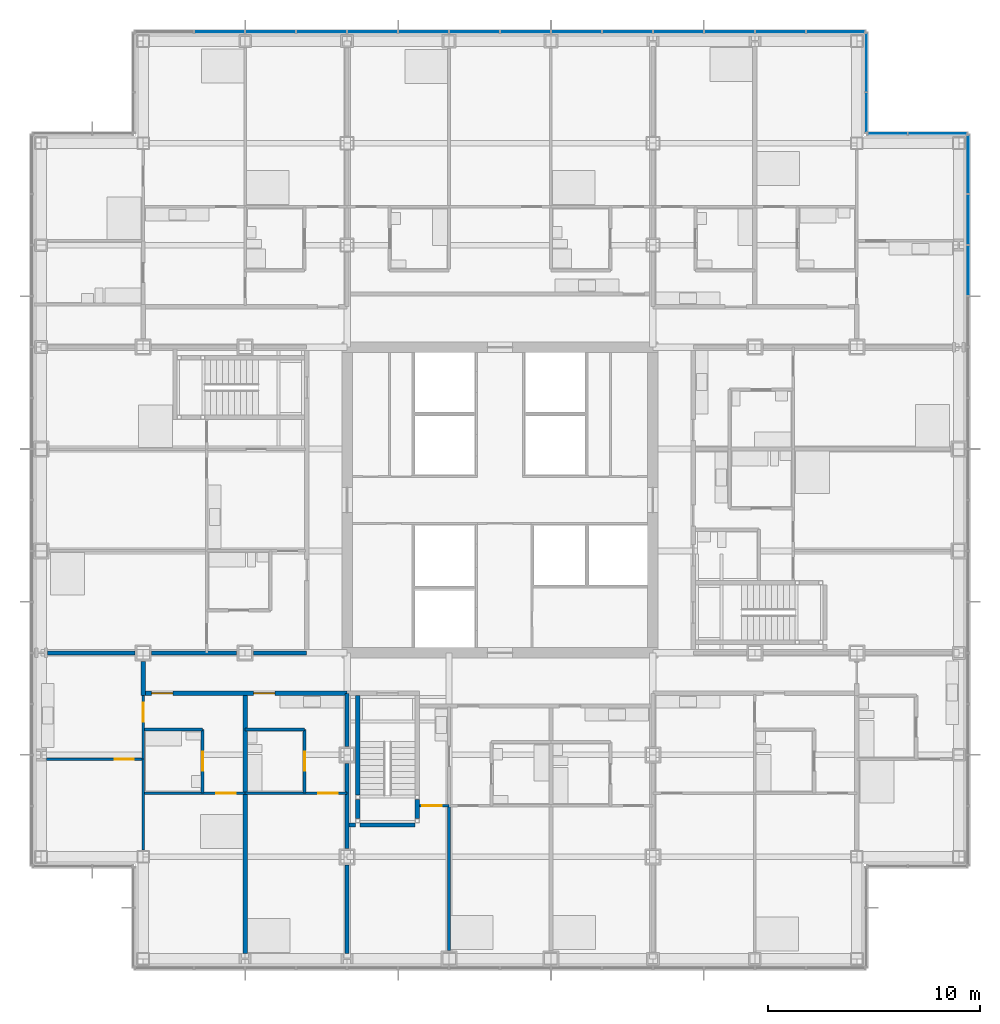
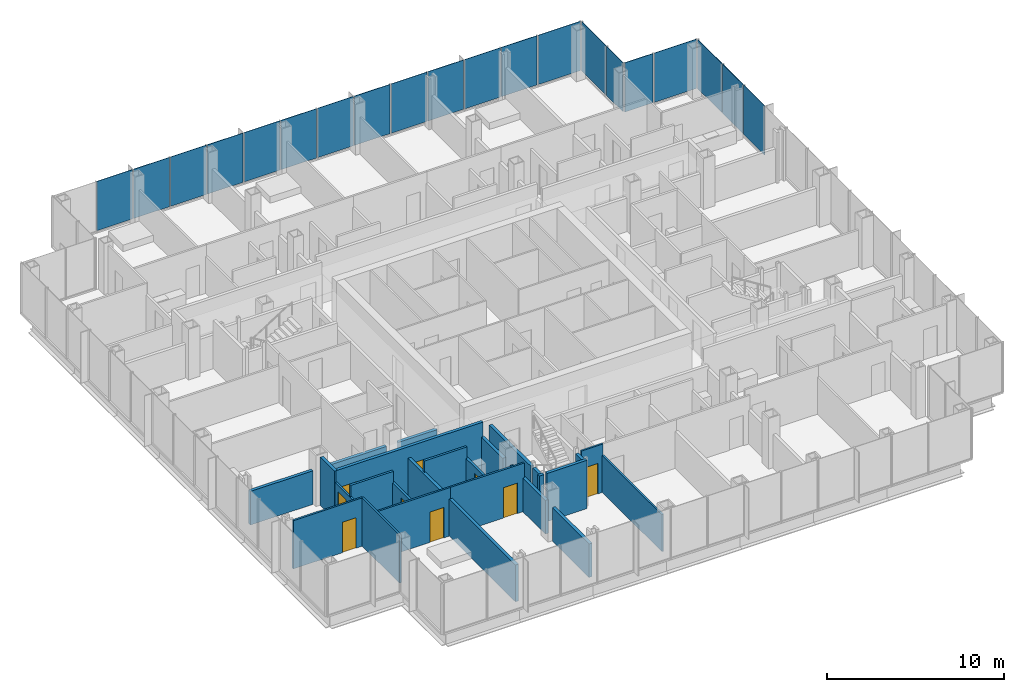
# One storey, part 13 of 21: 25 walls, 20 plates, 9 doors, 9 openings, 4 elements without a shape of their own.
"""IFC4 building model written with IfcOpenShell, lengths in metres."""

from ifc_helpers import new_model, si_unit, direction, frame, frame_2d, origin, origin_2d, place, context, subcontext, project, spatial, rectangle, extrude, material, layer, layer_set, type_object, element, fill, aggregate, save


model = new_model("IFC4")

# Units and contexts
model_context = context("Model", 3, precision=1e-05, world=origin(), true_north=direction((0.0, 1.0)))
body_context = subcontext(model_context, "Body", "Model", "MODEL_VIEW")
ifc_project = project(units=[si_unit("LENGTHUNIT", "METRE"), si_unit("AREAUNIT", "SQUARE_METRE"), si_unit("VOLUMEUNIT", "CUBIC_METRE"), si_unit("PLANEANGLEUNIT", "RADIAN"), si_unit("MASSUNIT", "GRAM", prefix="KILO")], contexts=[model_context])

# Site, building, storey
site_placement = place(None, origin())
site = spatial("IfcSite", under=ifc_project, at=site_placement, CompositionType="ELEMENT")
building_placement = place(site_placement, origin())
building = spatial("IfcBuilding", under=site, at=building_placement, Name="Kvirike Care Tower", CompositionType="ELEMENT")
storey_placement = place(building_placement, frame((0.0, 0.0, 44.5)))
storey = spatial("IfcBuildingStorey", under=building, at=storey_placement, Name="L11", CompositionType="ELEMENT", Elevation=44.5)

# Curtain wall, plates
ifc_material_1 = material(Name="Anodised aluminium stick system", Category="aluminium")
curtain_wall_type = type_object("IfcCurtainWallType", Name="CW-A STICK CURTAIN WALL", PredefinedType="NOTDEFINED", material=ifc_material_1)
curtain_wall_1_placement = place(storey_placement, origin())
curtain_wall_1 = element("IfcCurtainWall", 1, at=curtain_wall_1_placement, inside=storey, type_object=curtain_wall_type, Name="Curtain wall L11 face 7", PredefinedType="NOTDEFINED")
ifc_material_2 = material(Name="Tinted double glazed unit", Category="glass")
ifc_layer_1 = layer(ifc_material_2, 0.031982421875)
ifc_layer_set_1 = layer_set([ifc_layer_1], Name="TINTED VISION PANEL 32")
plate_type = type_object("IfcPlateType", Name="TINTED VISION PANEL 32", PredefinedType="CURTAIN_PANEL", material=ifc_layer_set_1)
plate_1_placement = place(storey_placement, frame((43.64990234375, 46.800048828125, 0.10009765625), z_axis=(0.0, 0.0, 1.0), x_axis=(0.0, 1.0, 0.0)))
plate_1 = element("IfcPlate", 2, at=plate_1_placement, type_object=plate_type, Name="CW-A panel L11 face 7.12", PredefinedType="CURTAIN_PANEL", context=body_context, shape_type="SweptSolid", body=[
    extrude(rectangle(XDim=2.3349609375, YDim=0.031982421875, at=origin_2d()), origin(), (0.0, 0.0, 1.0), 3.39990234375),
])
plate_2_placement = place(storey_placement, frame((43.64990234375, 49.199951171875, 0.10009765625), z_axis=(0.0, 0.0, 1.0), x_axis=(0.0, 1.0, 0.0)))
plate_2 = element("IfcPlate", 3, at=plate_2_placement, type_object=plate_type, Name="CW-A panel L11 face 7.13", PredefinedType="CURTAIN_PANEL", context=body_context, shape_type="SweptSolid", body=[
    extrude(rectangle(XDim=2.3349609375, YDim=0.031982421875, at=origin_2d()), origin(), (0.0, 0.0, 1.0), 3.39990234375),
])
plate_3_placement = place(storey_placement, frame((43.64990234375, 51.808837890625, 0.10009765625), z_axis=(0.0, 0.0, 1.0), x_axis=(0.0, 1.0, 0.0)))
plate_3 = element("IfcPlate", 4, at=plate_3_placement, type_object=plate_type, Name="CW-A panel L11 face 7.14", PredefinedType="CURTAIN_PANEL", context=body_context, shape_type="SweptSolid", body=[
    extrude(rectangle(XDim=2.75244140625, YDim=0.031982421875, at=origin_2d()), origin(), (0.0, 0.0, 1.0), 3.39990234375),
])
aggregate(curtain_wall_1, [plate_1, plate_2, plate_3])

curtain_wall_2_placement = place(storey_placement, origin())
curtain_wall_2 = element("IfcCurtainWall", 5, at=curtain_wall_2_placement, inside=storey, type_object=curtain_wall_type, Name="Curtain wall L11 face 8", PredefinedType="NOTDEFINED")
plate_4_placement = place(storey_placement, frame((42.208740234375, 53.25, 0.10009765625), z_axis=(0.0, 0.0, 1.0), x_axis=(-1.0, 0.0, 0.0)))
plate_4 = element("IfcPlate", 6, at=plate_4_placement, type_object=plate_type, Name="CW-A panel L11 face 8.1", PredefinedType="CURTAIN_PANEL", context=body_context, shape_type="SweptSolid", body=[
    extrude(rectangle(XDim=2.75244140625, YDim=0.031982421875, at=origin_2d()), origin(), (0.0, 0.0, 1.0), 3.39990234375),
])
plate_5_placement = place(storey_placement, frame((39.84130859375, 53.25, 0.10009765625), z_axis=(0.0, 0.0, 1.0), x_axis=(-1.0, 0.0, 0.0)))
plate_5 = element("IfcPlate", 7, at=plate_5_placement, type_object=plate_type, Name="CW-A panel L11 face 8.2", PredefinedType="CURTAIN_PANEL", context=body_context, shape_type="SweptSolid", body=[
    extrude(rectangle(XDim=1.8525390625, YDim=0.031982421875, at=origin_2d()), origin(), (0.0, 0.0, 1.0), 3.39990234375),
])
aggregate(curtain_wall_2, [plate_4, plate_5])

curtain_wall_3_placement = place(storey_placement, origin())
curtain_wall_3 = element("IfcCurtainWall", 8, at=curtain_wall_3_placement, inside=storey, type_object=curtain_wall_type, Name="Curtain wall L11 face 9", PredefinedType="NOTDEFINED")
plate_6_placement = place(storey_placement, frame((38.85009765625, 54.2412109375, 0.10009765625), z_axis=(0.0, 0.0, 1.0), x_axis=(0.0, 1.0, 0.0)))
plate_6 = element("IfcPlate", 9, at=plate_6_placement, type_object=plate_type, Name="CW-A panel L11 face 9.1", PredefinedType="CURTAIN_PANEL", context=body_context, shape_type="SweptSolid", body=[
    extrude(rectangle(XDim=1.8525390625, YDim=0.031982421875, at=origin_2d()), origin(), (0.0, 0.0, 1.0), 3.39990234375),
])
plate_7_placement = place(storey_placement, frame((38.85009765625, 56.608642578125, 0.10009765625), z_axis=(0.0, 0.0, 1.0), x_axis=(0.0, 1.0, 0.0)))
plate_7 = element("IfcPlate", 10, at=plate_7_placement, type_object=plate_type, Name="CW-A panel L11 face 9.2", PredefinedType="CURTAIN_PANEL", context=body_context, shape_type="SweptSolid", body=[
    extrude(rectangle(XDim=2.75244140625, YDim=0.031982421875, at=origin_2d()), origin(), (0.0, 0.0, 1.0), 3.39990234375),
])
aggregate(curtain_wall_3, [plate_6, plate_7])

curtain_wall_4_placement = place(storey_placement, origin())
curtain_wall_4 = element("IfcCurtainWall", 11, at=curtain_wall_4_placement, inside=storey, type_object=curtain_wall_type, Name="Curtain wall L11 face 10", PredefinedType="NOTDEFINED")
plate_8_placement = place(storey_placement, frame((37.40869140625, 58.050048828125, 0.10009765625), z_axis=(0.0, 0.0, 1.0), x_axis=(-1.0, 0.0, 0.0)))
plate_8 = element("IfcPlate", 12, at=plate_8_placement, type_object=plate_type, Name="CW-A panel L11 face 10.1", PredefinedType="CURTAIN_PANEL", context=body_context, shape_type="SweptSolid", body=[
    extrude(rectangle(XDim=2.75244140625, YDim=0.031982421875, at=origin_2d()), origin(), (0.0, 0.0, 1.0), 3.39990234375),
])
plate_9_placement = place(storey_placement, frame((34.800048828125, 58.050048828125, 0.10009765625), z_axis=(0.0, 0.0, 1.0), x_axis=(-1.0, 0.0, 0.0)))
plate_9 = element("IfcPlate", 13, at=plate_9_placement, type_object=plate_type, Name="CW-A panel L11 face 10.2", PredefinedType="CURTAIN_PANEL", context=body_context, shape_type="SweptSolid", body=[
    extrude(rectangle(XDim=2.3349609375, YDim=0.031982421875, at=origin_2d()), origin(), (0.0, 0.0, 1.0), 3.39990234375),
])
plate_10_placement = place(storey_placement, frame((32.39990234375, 58.050048828125, 0.10009765625), z_axis=(0.0, 0.0, 1.0), x_axis=(-1.0, 0.0, 0.0)))
plate_10 = element("IfcPlate", 14, at=plate_10_placement, type_object=plate_type, Name="CW-A panel L11 face 10.3", PredefinedType="CURTAIN_PANEL", context=body_context, shape_type="SweptSolid", body=[
    extrude(rectangle(XDim=2.3349609375, YDim=0.031982421875, at=origin_2d()), origin(), (0.0, 0.0, 1.0), 3.39990234375),
])
plate_11_placement = place(storey_placement, frame((30.0, 58.050048828125, 0.10009765625), z_axis=(0.0, 0.0, 1.0), x_axis=(-1.0, 0.0, 0.0)))
plate_11 = element("IfcPlate", 15, at=plate_11_placement, type_object=plate_type, Name="CW-A panel L11 face 10.4", PredefinedType="CURTAIN_PANEL", context=body_context, shape_type="SweptSolid", body=[
    extrude(rectangle(XDim=2.3349609375, YDim=0.031982421875, at=origin_2d()), origin(), (0.0, 0.0, 1.0), 3.39990234375),
])
plate_12_placement = place(storey_placement, frame((27.60009765625, 58.050048828125, 0.10009765625), z_axis=(0.0, 0.0, 1.0), x_axis=(-1.0, 0.0, 0.0)))
plate_12 = element("IfcPlate", 16, at=plate_12_placement, type_object=plate_type, Name="CW-A panel L11 face 10.5", PredefinedType="CURTAIN_PANEL", context=body_context, shape_type="SweptSolid", body=[
    extrude(rectangle(XDim=2.3349609375, YDim=0.031982421875, at=origin_2d()), origin(), (0.0, 0.0, 1.0), 3.39990234375),
])
plate_13_placement = place(storey_placement, frame((25.199951171875, 58.050048828125, 0.10009765625), z_axis=(0.0, 0.0, 1.0), x_axis=(-1.0, 0.0, 0.0)))
plate_13 = element("IfcPlate", 17, at=plate_13_placement, type_object=plate_type, Name="CW-A panel L11 face 10.6", PredefinedType="CURTAIN_PANEL", context=body_context, shape_type="SweptSolid", body=[
    extrude(rectangle(XDim=2.3349609375, YDim=0.031982421875, at=origin_2d()), origin(), (0.0, 0.0, 1.0), 3.39990234375),
])
plate_14_placement = place(storey_placement, frame((22.800048828125, 58.050048828125, 0.10009765625), z_axis=(0.0, 0.0, 1.0), x_axis=(-1.0, 0.0, 0.0)))
plate_14 = element("IfcPlate", 18, at=plate_14_placement, type_object=plate_type, Name="CW-A panel L11 face 10.7", PredefinedType="CURTAIN_PANEL", context=body_context, shape_type="SweptSolid", body=[
    extrude(rectangle(XDim=2.3349609375, YDim=0.031982421875, at=origin_2d()), origin(), (0.0, 0.0, 1.0), 3.39990234375),
])
plate_15_placement = place(storey_placement, frame((20.39990234375, 58.050048828125, 0.10009765625), z_axis=(0.0, 0.0, 1.0), x_axis=(-1.0, 0.0, 0.0)))
plate_15 = element("IfcPlate", 19, at=plate_15_placement, type_object=plate_type, Name="CW-A panel L11 face 10.8", PredefinedType="CURTAIN_PANEL", context=body_context, shape_type="SweptSolid", body=[
    extrude(rectangle(XDim=2.3349609375, YDim=0.031982421875, at=origin_2d()), origin(), (0.0, 0.0, 1.0), 3.39990234375),
])
plate_16_placement = place(storey_placement, frame((18.0, 58.050048828125, 0.10009765625), z_axis=(0.0, 0.0, 1.0), x_axis=(-1.0, 0.0, 0.0)))
plate_16 = element("IfcPlate", 20, at=plate_16_placement, type_object=plate_type, Name="CW-A panel L11 face 10.9", PredefinedType="CURTAIN_PANEL", context=body_context, shape_type="SweptSolid", body=[
    extrude(rectangle(XDim=2.3349609375, YDim=0.031982421875, at=origin_2d()), origin(), (0.0, 0.0, 1.0), 3.39990234375),
])
plate_17_placement = place(storey_placement, frame((15.60009765625, 58.050048828125, 0.10009765625), z_axis=(0.0, 0.0, 1.0), x_axis=(-1.0, 0.0, 0.0)))
plate_17 = element("IfcPlate", 21, at=plate_17_placement, type_object=plate_type, Name="CW-A panel L11 face 10.10", PredefinedType="CURTAIN_PANEL", context=body_context, shape_type="SweptSolid", body=[
    extrude(rectangle(XDim=2.3349609375, YDim=0.031982421875, at=origin_2d()), origin(), (0.0, 0.0, 1.0), 3.39990234375),
])
plate_18_placement = place(storey_placement, frame((13.199951171875, 58.050048828125, 0.10009765625), z_axis=(0.0, 0.0, 1.0), x_axis=(-1.0, 0.0, 0.0)))
plate_18 = element("IfcPlate", 22, at=plate_18_placement, type_object=plate_type, Name="CW-A panel L11 face 10.11", PredefinedType="CURTAIN_PANEL", context=body_context, shape_type="SweptSolid", body=[
    extrude(rectangle(XDim=2.3349609375, YDim=0.031982421875, at=origin_2d()), origin(), (0.0, 0.0, 1.0), 3.39990234375),
])
plate_19_placement = place(storey_placement, frame((10.800048828125, 58.050048828125, 0.10009765625), z_axis=(0.0, 0.0, 1.0), x_axis=(-1.0, 0.0, 0.0)))
plate_19 = element("IfcPlate", 23, at=plate_19_placement, type_object=plate_type, Name="CW-A panel L11 face 10.12", PredefinedType="CURTAIN_PANEL", context=body_context, shape_type="SweptSolid", body=[
    extrude(rectangle(XDim=2.3349609375, YDim=0.031982421875, at=origin_2d()), origin(), (0.0, 0.0, 1.0), 3.39990234375),
])
plate_20_placement = place(storey_placement, frame((8.39990234375, 58.050048828125, 0.10009765625), z_axis=(0.0, 0.0, 1.0), x_axis=(-1.0, 0.0, 0.0)))
plate_20 = element("IfcPlate", 24, at=plate_20_placement, type_object=plate_type, Name="CW-A panel L11 face 10.13", PredefinedType="CURTAIN_PANEL", context=body_context, shape_type="SweptSolid", body=[
    extrude(rectangle(XDim=2.3349609375, YDim=0.031982421875, at=origin_2d()), origin(), (0.0, 0.0, 1.0), 3.39990234375),
])
aggregate(curtain_wall_4, [plate_8, plate_9, plate_10, plate_11, plate_12, plate_13, plate_14, plate_15, plate_16, plate_17, plate_18, plate_19, plate_20])

# Wall, opening, door
ifc_material_3 = material(Name="Moisture-resistant board partition", Category="gypsum")
ifc_layer_2 = layer(ifc_material_3, 0.14990234375)
ifc_layer_set_2 = layer_set([ifc_layer_2], Name="BATHROOM WALL 150")
wall_type_1 = type_object("IfcWallType", Name="BATHROOM WALL 150", PredefinedType="PARTITIONING", material=ifc_layer_set_2)
wall_1_placement = place(storey_placement, frame((7.60009765625, 22.199951171875, 0.0), z_axis=(0.0, 0.0, 1.0), x_axis=(0.0, 1.0, 0.0)))
wall_1 = element("IfcWall", 25, at=wall_1_placement, inside=storey, type_object=wall_type_1, Name="Bathroom Wall 150 L11", PredefinedType="PARTITIONING", context=body_context, shape_type="SweptSolid", body=[
    extrude(rectangle(XDim=3.0, YDim=0.14990234375, at=frame_2d((1.5, 0.0))), origin(), (0.0, 0.0, 1.0), 2.550048828125),
])
opening_1_placement = place(wall_1_placement, frame((1.050048828125, 0.0, 0.0)))
opening_1 = element("IfcOpeningElement", 26, at=opening_1_placement, cuts=wall_1, Name="Opening 11-001", PredefinedType="OPENING", context=body_context, shape_type="SweptSolid", body=[
    extrude(rectangle(XDim=0.89990234375, YDim=2.10009765625, at=frame_2d((0.449951171875, 1.050048828125))), frame((0.0, 0.08544921875, 0.0), z_axis=(0.0, -1.0, 0.0), x_axis=(1.0, 0.0, 0.0)), (0.0, 0.0, 1.0), 0.1708984375),
])
ifc_material_4 = material(Name="Timber door set", Category="wood")
door_type_1 = type_object("IfcDoorType", Name="BATHROOM DOOR 900", OperationType="SINGLE_SWING_RIGHT", PredefinedType="DOOR", material=ifc_material_4)
door_1_placement = place(opening_1_placement, origin())
door_1 = element("IfcDoor", 27, at=door_1_placement, inside=storey, type_object=door_type_1, Name="Bathroom door", OperationType="SINGLE_SWING_LEFT", OverallHeight=2.10009765625, OverallWidth=0.89990234375, PredefinedType="DOOR", context=body_context, shape_type="SweptSolid", body=[
    extrude(rectangle(XDim=0.89990234375, YDim=2.10009765625, at=frame_2d((0.449951171875, 1.050048828125))), frame((0.0, 0.02197265625, 0.0), z_axis=(0.0, -1.0, 0.0), x_axis=(1.0, 0.0, 0.0)), (0.0, 0.0, 1.0), 0.0439453125),
])
fill(opening_1, door_1)

# Wall
wall_2_placement = place(storey_placement, frame((4.800048828125, 25.199951171875, 0.0), z_axis=(0.0, 0.0, 1.0), x_axis=(1.0, 0.0, 0.0)))
element("IfcWall", 28, at=wall_2_placement, inside=storey, type_object=wall_type_1, Name="Bathroom Wall 150 L11", PredefinedType="PARTITIONING", context=body_context, shape_type="SweptSolid", body=[
    extrude(rectangle(XDim=2.800048828125, YDim=0.14990234375, at=frame_2d((1.39990234375, 0.0))), origin(), (0.0, 0.0, 1.0), 3.330078125),
])

# Wall, opening, door
wall_3_placement = place(storey_placement, frame((12.39990234375, 22.199951171875, 0.0), z_axis=(0.0, 0.0, 1.0), x_axis=(0.0, 1.0, 0.0)))
wall_3 = element("IfcWall", 29, at=wall_3_placement, inside=storey, type_object=wall_type_1, Name="Bathroom Wall 150 L11", PredefinedType="PARTITIONING", context=body_context, shape_type="SweptSolid", body=[
    extrude(rectangle(XDim=3.0, YDim=0.14990234375, at=frame_2d((1.5, 0.0))), origin(), (0.0, 0.0, 1.0), 2.550048828125),
])
opening_2_placement = place(wall_3_placement, frame((1.050048828125, 0.0, 0.0)))
opening_2 = element("IfcOpeningElement", 30, at=opening_2_placement, cuts=wall_3, Name="Opening 11-005", PredefinedType="OPENING", context=body_context, shape_type="SweptSolid", body=[
    extrude(rectangle(XDim=0.89990234375, YDim=2.10009765625, at=frame_2d((0.449951171875, 1.050048828125))), frame((0.0, 0.08544921875, 0.0), z_axis=(0.0, -1.0, 0.0), x_axis=(1.0, 0.0, 0.0)), (0.0, 0.0, 1.0), 0.1708984375),
])
door_2_placement = place(opening_2_placement, origin())
door_2 = element("IfcDoor", 31, at=door_2_placement, inside=storey, type_object=door_type_1, Name="Bathroom door", OperationType="SINGLE_SWING_LEFT", OverallHeight=2.10009765625, OverallWidth=0.89990234375, PredefinedType="DOOR", context=body_context, shape_type="SweptSolid", body=[
    extrude(rectangle(XDim=0.89990234375, YDim=2.10009765625, at=frame_2d((0.449951171875, 1.050048828125))), frame((0.0, 0.02197265625, 0.0), z_axis=(0.0, -1.0, 0.0), x_axis=(1.0, 0.0, 0.0)), (0.0, 0.0, 1.0), 0.0439453125),
])
fill(opening_2, door_2)

# Wall
wall_4_placement = place(storey_placement, frame((9.60009765625, 25.199951171875, 0.0), z_axis=(0.0, 0.0, 1.0), x_axis=(1.0, 0.0, 0.0)))
element("IfcWall", 32, at=wall_4_placement, inside=storey, type_object=wall_type_1, Name="Bathroom Wall 150 L11", PredefinedType="PARTITIONING", context=body_context, shape_type="SweptSolid", body=[
    extrude(rectangle(XDim=2.7998046875, YDim=0.14990234375, at=frame_2d((1.39990234375, 0.0))), origin(), (0.0, 0.0, 1.0), 3.330078125),
])

# Wall, openings, doors
ifc_material_5 = material(Name="Plasterboard corridor wall", Category="gypsum")
ifc_layer_3 = layer(ifc_material_5, 0.199951171875)
ifc_layer_set_3 = layer_set([ifc_layer_3], Name="CORRIDOR WALL 200")
wall_type_2 = type_object("IfcWallType", Name="CORRIDOR WALL 200", PredefinedType="PARTITIONING", material=ifc_layer_set_3)
wall_5_placement = place(storey_placement, frame((4.800048828125, 26.89990234375, 0.0), z_axis=(0.0, 0.0, 1.0), x_axis=(1.0, 0.0, 0.0)))
wall_5 = element("IfcWall", 33, at=wall_5_placement, inside=storey, type_object=wall_type_2, Name="Corridor Wall 200 L11", PredefinedType="PARTITIONING", context=body_context, shape_type="SweptSolid", body=[
    extrude(rectangle(XDim=9.599853515625, YDim=0.199951171875, at=frame_2d((4.7998046875, 0.0))), origin(), (0.0, 0.0, 1.0), 3.330078125),
])
opening_3_placement = place(wall_5_placement, frame((0.39990234375, 0.0, 0.0)))
opening_3 = element("IfcOpeningElement", 34, at=opening_3_placement, cuts=wall_5, Name="Opening 11-007", PredefinedType="OPENING", context=body_context, shape_type="SweptSolid", body=[
    extrude(rectangle(XDim=1.0, YDim=2.10009765625, at=frame_2d((0.5, 1.050048828125))), frame((0.0, 0.110595703125, 0.0), z_axis=(0.0, -1.0, 0.0), x_axis=(1.0, 0.0, 0.0)), (0.0, 0.0, 1.0), 0.220947265625),
])
opening_4_placement = place(wall_5_placement, frame((5.199951171875, 0.0, 0.0)))
opening_4 = element("IfcOpeningElement", 35, at=opening_4_placement, cuts=wall_5, Name="Opening 11-008", PredefinedType="OPENING", context=body_context, shape_type="SweptSolid", body=[
    extrude(rectangle(XDim=1.0, YDim=2.10009765625, at=frame_2d((0.5, 1.050048828125))), frame((0.0, 0.110595703125, 0.0), z_axis=(0.0, -1.0, 0.0), x_axis=(1.0, 0.0, 0.0)), (0.0, 0.0, 1.0), 0.220947265625),
])
ifc_material_6 = material(Name="Timber door set", Category="wood")
door_type_2 = type_object("IfcDoorType", Name="FLAT ENTRANCE DOOR 1000", OperationType="SINGLE_SWING_LEFT", PredefinedType="DOOR", material=ifc_material_6)
door_3_placement = place(opening_3_placement, frame((1.0, 0.0, 0.0), z_axis=(0.0, 0.0, 1.0), x_axis=(-1.0, 0.0, 0.0)))
door_3 = element("IfcDoor", 36, at=door_3_placement, inside=storey, type_object=door_type_2, Name="One-bedroom apartment entrance", OperationType="SINGLE_SWING_LEFT", OverallHeight=2.10009765625, OverallWidth=1.0, PredefinedType="DOOR", context=body_context, shape_type="SweptSolid", body=[
    extrude(rectangle(XDim=1.0, YDim=2.10009765625, at=frame_2d((0.5, 1.050048828125))), frame((0.0, 0.02685546875, 0.0), z_axis=(0.0, -1.0, 0.0), x_axis=(1.0, 0.0, 0.0)), (0.0, 0.0, 1.0), 0.053955078125),
])
fill(opening_3, door_3)
door_4_placement = place(opening_4_placement, frame((1.0, 0.0, 0.0), z_axis=(0.0, 0.0, 1.0), x_axis=(-1.0, 0.0, 0.0)))
door_4 = element("IfcDoor", 37, at=door_4_placement, inside=storey, type_object=door_type_2, Name="Studio apartment entrance", OperationType="SINGLE_SWING_RIGHT", OverallHeight=2.10009765625, OverallWidth=1.0, PredefinedType="DOOR", context=body_context, shape_type="SweptSolid", body=[
    extrude(rectangle(XDim=1.0, YDim=2.10009765625, at=frame_2d((0.5, 1.050048828125))), frame((0.0, 0.02685546875, 0.0), z_axis=(0.0, -1.0, 0.0), x_axis=(1.0, 0.0, 0.0)), (0.0, 0.0, 1.0), 0.053955078125),
])
fill(opening_4, door_4)

# Wall
wall_6_placement = place(storey_placement, frame((4.800048828125, 26.800048828125, 0.0), z_axis=(0.0, 0.0, 1.0), x_axis=(0.0, 1.0, 0.0)))
element("IfcWall", 38, at=wall_6_placement, inside=storey, type_object=wall_type_2, Name="Corridor Wall 200 L11", PredefinedType="PARTITIONING", context=body_context, shape_type="SweptSolid", body=[
    extrude(rectangle(XDim=1.60498046875, YDim=0.199951171875, at=frame_2d((0.802490234375, 0.0))), origin(), (0.0, 0.0, 1.0), 3.330078125),
])

# Wall, opening, door
ifc_material_7 = material(Name="Plasterboard partition", Category="gypsum")
ifc_layer_4 = layer(ifc_material_7, 0.1201171875)
ifc_layer_set_4 = layer_set([ifc_layer_4], Name="PARTITION 120")
wall_type_3 = type_object("IfcWallType", Name="PARTITION 120", PredefinedType="PARTITIONING", material=ifc_layer_set_4)
wall_7_placement = place(storey_placement, frame((4.800048828125, 23.800048828125, 0.0), z_axis=(0.0, 0.0, 1.0), x_axis=(0.0, 1.0, 0.0)))
wall_7 = element("IfcWall", 39, at=wall_7_placement, inside=storey, type_object=wall_type_3, Name="Partition 120 L11", PredefinedType="PARTITIONING", context=body_context, shape_type="SweptSolid", body=[
    extrude(rectangle(XDim=3.0, YDim=0.1201171875, at=frame_2d((1.5, 0.0))), origin(), (0.0, 0.0, 1.0), 2.550048828125),
])
opening_5_placement = place(wall_7_placement, frame((1.75, 0.0, 0.0)))
opening_5 = element("IfcOpeningElement", 40, at=opening_5_placement, cuts=wall_7, Name="Opening 11-002", PredefinedType="OPENING", context=body_context, shape_type="SweptSolid", body=[
    extrude(rectangle(XDim=0.89990234375, YDim=2.10009765625, at=frame_2d((0.449951171875, 1.050048828125))), frame((0.0, 0.070556640625, 0.0), z_axis=(0.0, -1.0, 0.0), x_axis=(1.0, 0.0, 0.0)), (0.0, 0.0, 1.0), 0.14111328125),
])
ifc_material_8 = material(Name="Timber door set", Category="wood")
door_type_3 = type_object("IfcDoorType", Name="INTERNAL DOOR 900", OperationType="SINGLE_SWING_LEFT", PredefinedType="DOOR", material=ifc_material_8)
door_5_placement = place(opening_5_placement, origin())
door_5 = element("IfcDoor", 41, at=door_5_placement, inside=storey, type_object=door_type_3, Name="Hall door", OperationType="SINGLE_SWING_RIGHT", OverallHeight=2.10009765625, OverallWidth=0.89990234375, PredefinedType="DOOR", context=body_context, shape_type="SweptSolid", body=[
    extrude(rectangle(XDim=0.89990234375, YDim=2.10009765625, at=frame_2d((0.449951171875, 1.050048828125))), frame((0.0, 0.02197265625, 0.0), z_axis=(0.0, -1.0, 0.0), x_axis=(1.0, 0.0, 0.0)), (0.0, 0.0, 1.0), 0.0439453125),
])
fill(opening_5, door_5)

wall_8_placement = place(storey_placement, frame((0.2470703125, 23.800048828125, 0.0), z_axis=(0.0, 0.0, 1.0), x_axis=(1.0, 0.0, 0.0)))
wall_8 = element("IfcWall", 42, at=wall_8_placement, inside=storey, type_object=wall_type_3, Name="Partition 120 L11", PredefinedType="PARTITIONING", context=body_context, shape_type="SweptSolid", body=[
    extrude(rectangle(XDim=4.552978515625, YDim=0.1201171875, at=frame_2d((2.2763671875, 0.0))), origin(), (0.0, 0.0, 1.0), 3.330078125),
])
opening_6_placement = place(wall_8_placement, frame((3.202880859375, 0.0, 0.0)))
opening_6 = element("IfcOpeningElement", 43, at=opening_6_placement, cuts=wall_8, Name="Opening 11-003", PredefinedType="OPENING", context=body_context, shape_type="SweptSolid", body=[
    extrude(rectangle(XDim=0.89990234375, YDim=2.10009765625, at=frame_2d((0.449951171875, 1.050048828125))), frame((0.0, 0.070556640625, 0.0), z_axis=(0.0, -1.0, 0.0), x_axis=(1.0, 0.0, 0.0)), (0.0, 0.0, 1.0), 0.14111328125),
])
door_6_placement = place(opening_6_placement, frame((0.89990234375, 0.0, 0.0), z_axis=(0.0, 0.0, 1.0), x_axis=(-1.0, 0.0, 0.0)))
door_6 = element("IfcDoor", 44, at=door_6_placement, inside=storey, type_object=door_type_3, Name="Apartment living room door", OperationType="SINGLE_SWING_RIGHT", OverallHeight=2.10009765625, OverallWidth=0.89990234375, PredefinedType="DOOR", context=body_context, shape_type="SweptSolid", body=[
    extrude(rectangle(XDim=0.89990234375, YDim=2.10009765625, at=frame_2d((0.449951171875, 1.050048828125))), frame((0.0, 0.02197265625, 0.0), z_axis=(0.0, -1.0, 0.0), x_axis=(1.0, 0.0, 0.0)), (0.0, 0.0, 1.0), 0.0439453125),
])
fill(opening_6, door_6)

wall_9_placement = place(storey_placement, frame((4.800048828125, 22.199951171875, 0.0), z_axis=(0.0, 0.0, 1.0), x_axis=(1.0, 0.0, 0.0)))
wall_9 = element("IfcWall", 45, at=wall_9_placement, inside=storey, type_object=wall_type_3, Name="Partition 120 L11", PredefinedType="PARTITIONING", context=body_context, shape_type="SweptSolid", body=[
    extrude(rectangle(XDim=4.800048828125, YDim=0.1201171875, at=frame_2d((2.39990234375, 0.0))), origin(), (0.0, 0.0, 1.0), 3.330078125),
])
opening_7_placement = place(wall_9_placement, frame((3.449951171875, 0.0, 0.0)))
opening_7 = element("IfcOpeningElement", 46, at=opening_7_placement, cuts=wall_9, Name="Opening 11-004", PredefinedType="OPENING", context=body_context, shape_type="SweptSolid", body=[
    extrude(rectangle(XDim=0.89990234375, YDim=2.10009765625, at=frame_2d((0.449951171875, 1.050048828125))), frame((0.0, 0.070556640625, 0.0), z_axis=(0.0, -1.0, 0.0), x_axis=(1.0, 0.0, 0.0)), (0.0, 0.0, 1.0), 0.14111328125),
])
door_7_placement = place(opening_7_placement, origin())
door_7 = element("IfcDoor", 47, at=door_7_placement, inside=storey, type_object=door_type_3, Name="Apartment bedroom door", OperationType="SINGLE_SWING_LEFT", OverallHeight=2.10009765625, OverallWidth=0.89990234375, PredefinedType="DOOR", context=body_context, shape_type="SweptSolid", body=[
    extrude(rectangle(XDim=0.89990234375, YDim=2.10009765625, at=frame_2d((0.449951171875, 1.050048828125))), frame((0.0, 0.02197265625, 0.0), z_axis=(0.0, -1.0, 0.0), x_axis=(1.0, 0.0, 0.0)), (0.0, 0.0, 1.0), 0.0439453125),
])
fill(opening_7, door_7)

# Wall
wall_10_placement = place(storey_placement, frame((4.800048828125, 19.52001953125, 0.0), z_axis=(0.0, 0.0, 1.0), x_axis=(0.0, 1.0, 0.0)))
element("IfcWall", 48, at=wall_10_placement, inside=storey, type_object=wall_type_3, Name="Partition 120 L11", PredefinedType="PARTITIONING", context=body_context, shape_type="SweptSolid", body=[
    extrude(rectangle(XDim=4.280029296875, YDim=0.1201171875, at=frame_2d((2.14013671875, 0.0))), origin(), (0.0, 0.0, 1.0), 3.330078125),
])

# Wall, opening, door
wall_11_placement = place(storey_placement, frame((9.60009765625, 22.199951171875, 0.0), z_axis=(0.0, 0.0, 1.0), x_axis=(1.0, 0.0, 0.0)))
wall_11 = element("IfcWall", 49, at=wall_11_placement, inside=storey, type_object=wall_type_3, Name="Partition 120 L11", PredefinedType="PARTITIONING", context=body_context, shape_type="SweptSolid", body=[
    extrude(rectangle(XDim=4.7998046875, YDim=0.1201171875, at=frame_2d((2.39990234375, 0.0))), origin(), (0.0, 0.0, 1.0), 3.330078125),
])
opening_8_placement = place(wall_11_placement, frame((3.449951171875, 0.0, 0.0)))
opening_8 = element("IfcOpeningElement", 50, at=opening_8_placement, cuts=wall_11, Name="Opening 11-006", PredefinedType="OPENING", context=body_context, shape_type="SweptSolid", body=[
    extrude(rectangle(XDim=0.89990234375, YDim=2.10009765625, at=frame_2d((0.449951171875, 1.050048828125))), frame((0.0, 0.070556640625, 0.0), z_axis=(0.0, -1.0, 0.0), x_axis=(1.0, 0.0, 0.0)), (0.0, 0.0, 1.0), 0.14111328125),
])
door_8_placement = place(opening_8_placement, origin())
door_8 = element("IfcDoor", 51, at=door_8_placement, inside=storey, type_object=door_type_3, Name="Studio apartment living room door", OperationType="SINGLE_SWING_LEFT", OverallHeight=2.10009765625, OverallWidth=0.89990234375, PredefinedType="DOOR", context=body_context, shape_type="SweptSolid", body=[
    extrude(rectangle(XDim=0.89990234375, YDim=2.10009765625, at=frame_2d((0.449951171875, 1.050048828125))), frame((0.0, 0.02197265625, 0.0), z_axis=(0.0, -1.0, 0.0), x_axis=(1.0, 0.0, 0.0)), (0.0, 0.0, 1.0), 0.0439453125),
])
fill(opening_8, door_8)

wall_12_placement = place(storey_placement, frame((17.800048828125, 21.60009765625, 0.0), z_axis=(0.0, 0.0, 1.0), x_axis=(1.0, 0.0, 0.0)))
wall_12 = element("IfcWall", 52, at=wall_12_placement, inside=storey, type_object=wall_type_3, Name="Partition 120 L11", PredefinedType="PARTITIONING", context=body_context, shape_type="SweptSolid", body=[
    extrude(rectangle(XDim=1.39990234375, YDim=0.1201171875, at=frame_2d((0.699951171875, 0.0))), origin(), (0.0, 0.0, 1.0), 3.330078125),
])
opening_9_placement = place(wall_12_placement, frame((0.14990234375, 0.0, 0.0)))
opening_9 = element("IfcOpeningElement", 53, at=opening_9_placement, cuts=wall_12, Name="Opening 11-027", PredefinedType="OPENING", context=body_context, shape_type="SweptSolid", body=[
    extrude(rectangle(XDim=0.89990234375, YDim=2.10009765625, at=frame_2d((0.449951171875, 1.050048828125))), frame((0.0, 0.070556640625, 0.0), z_axis=(0.0, -1.0, 0.0), x_axis=(1.0, 0.0, 0.0)), (0.0, 0.0, 1.0), 0.14111328125),
])
door_9_placement = place(opening_9_placement, origin())
door_9 = element("IfcDoor", 54, at=door_9_placement, inside=storey, type_object=door_type_3, Name="Apartment living room door", OperationType="SINGLE_SWING_RIGHT", OverallHeight=2.10009765625, OverallWidth=0.89990234375, PredefinedType="DOOR", context=body_context, shape_type="SweptSolid", body=[
    extrude(rectangle(XDim=0.89990234375, YDim=2.10009765625, at=frame_2d((0.449951171875, 1.050048828125))), frame((0.0, 0.02197265625, 0.0), z_axis=(0.0, -1.0, 0.0), x_axis=(1.0, 0.0, 0.0)), (0.0, 0.0, 1.0), 0.0439453125),
])
fill(opening_9, door_9)

# Walls
wall_13_placement = place(storey_placement, frame((19.199951171875, 14.794921875, 0.0), z_axis=(0.0, 0.0, 1.0), x_axis=(0.0, 1.0, 0.0)))
element("IfcWall", 55, at=wall_13_placement, inside=storey, type_object=wall_type_3, Name="Partition 120 L11", PredefinedType="PARTITIONING", context=body_context, shape_type="SweptSolid", body=[
    extrude(rectangle(XDim=6.80517578125, YDim=0.1201171875, at=frame_2d((3.402587890625, 0.0))), origin(), (0.0, 0.0, 1.0), 2.550048828125),
])
ifc_material_9 = material(Name="Plasterboard party wall", Category="gypsum")
ifc_layer_5 = layer(ifc_material_9, 0.199951171875)
ifc_layer_set_5 = layer_set([ifc_layer_5], Name="PARTY WALL 200")
wall_type_4 = type_object("IfcWallType", Name="PARTY WALL 200", PredefinedType="PARTITIONING", material=ifc_layer_set_5)
wall_14_placement = place(storey_placement, frame((9.60009765625, 14.64697265625, 0.0), z_axis=(0.0, 0.0, 1.0), x_axis=(0.0, 1.0, 0.0)))
element("IfcWall", 56, at=wall_14_placement, inside=storey, type_object=wall_type_4, Name="Party Wall 200 L11", PredefinedType="PARTITIONING", context=body_context, shape_type="SweptSolid", body=[
    extrude(rectangle(XDim=12.153076171875, YDim=0.199951171875, at=frame_2d((6.07666015625, 0.0))), origin(), (0.0, 0.0, 1.0), 2.550048828125),
])
wall_15_placement = place(storey_placement, frame((12.5, 28.800048828125, 0.0), z_axis=(0.0, 0.0, 1.0), x_axis=(-1.0, 0.0, 0.0)))
element("IfcWall", 57, at=wall_15_placement, inside=storey, type_object=wall_type_4, Name="Party Wall 200 L11", PredefinedType="PARTITIONING", context=body_context, shape_type="SweptSolid", body=[
    extrude(rectangle(XDim=2.5048828125, YDim=0.199951171875, at=frame_2d((1.25244140625, 0.0))), origin(), (0.0, 0.0, 1.0), 2.320068359375),
])
wall_16_placement = place(storey_placement, frame((9.205078125, 28.800048828125, 0.0), z_axis=(0.0, 0.0, 1.0), x_axis=(-1.0, 0.0, 0.0)))
element("IfcWall", 58, at=wall_16_placement, inside=storey, type_object=wall_type_4, Name="Party Wall 200 L11", PredefinedType="PARTITIONING", context=body_context, shape_type="SweptSolid", body=[
    extrude(rectangle(XDim=4.010009765625, YDim=0.199951171875, at=frame_2d((2.0048828125, 0.0))), origin(), (0.0, 0.0, 1.0), 2.320068359375),
])
wall_17_placement = place(storey_placement, frame((4.405029296875, 28.800048828125, 0.0), z_axis=(0.0, 0.0, 1.0), x_axis=(-1.0, 0.0, 0.0)))
element("IfcWall", 59, at=wall_17_placement, inside=storey, type_object=wall_type_4, Name="Party Wall 200 L11", PredefinedType="PARTITIONING", context=body_context, shape_type="SweptSolid", body=[
    extrude(rectangle(XDim=4.1005859375, YDim=0.199951171875, at=frame_2d((2.05029296875, 0.0))), origin(), (0.0, 0.0, 1.0), 2.320068359375),
])
wall_18_placement = place(storey_placement, frame((14.39990234375, 14.64697265625, 0.0), z_axis=(0.0, 0.0, 1.0), x_axis=(0.0, 1.0, 0.0)))
element("IfcWall", 60, at=wall_18_placement, inside=storey, type_object=wall_type_4, Name="Party Wall 200 L11", PredefinedType="PARTITIONING", context=body_context, shape_type="SweptSolid", body=[
    extrude(rectangle(XDim=4.157958984375, YDim=0.199951171875, at=frame_2d((2.0791015625, 0.0))), origin(), (0.0, 0.0, 1.0), 2.320068359375),
])
wall_19_placement = place(storey_placement, frame((14.39990234375, 19.594970703125, 0.0), z_axis=(0.0, 0.0, 1.0), x_axis=(0.0, 1.0, 0.0)))
element("IfcWall", 61, at=wall_19_placement, inside=storey, type_object=wall_type_4, Name="Party Wall 200 L11", PredefinedType="PARTITIONING", context=body_context, shape_type="SweptSolid", body=[
    extrude(rectangle(XDim=4.010009765625, YDim=0.199951171875, at=frame_2d((2.0048828125, 0.0))), origin(), (0.0, 0.0, 1.0), 2.320068359375),
])
wall_20_placement = place(storey_placement, frame((14.39990234375, 24.39501953125, 0.0), z_axis=(0.0, 0.0, 1.0), x_axis=(0.0, 1.0, 0.0)))
element("IfcWall", 62, at=wall_20_placement, inside=storey, type_object=wall_type_4, Name="Party Wall 200 L11", PredefinedType="PARTITIONING", context=body_context, shape_type="SweptSolid", body=[
    extrude(rectangle(XDim=2.5048828125, YDim=0.199951171875, at=frame_2d((1.25244140625, 0.0))), origin(), (0.0, 0.0, 1.0), 2.320068359375),
])
ifc_material_10 = material(Name="Concrete C40/50", Category="concrete")
ifc_layer_6 = layer(ifc_material_10, 0.199951171875)
ifc_layer_set_6 = layer_set([ifc_layer_6], Name="STAIR WALL 200")
wall_type_5 = type_object("IfcWallType", Name="STAIR WALL 200", PredefinedType="SOLIDWALL", material=ifc_layer_set_6)
wall_21_placement = place(storey_placement, frame((14.89990234375, 21.0, 0.0), z_axis=(0.0, 0.0, 1.0), x_axis=(0.0, 1.0, 0.0)))
element("IfcWall", 63, at=wall_21_placement, inside=storey, type_object=wall_type_5, Name="Stair Wall 200 L11", PredefinedType="SOLIDWALL", context=body_context, shape_type="SweptSolid", body=[
    extrude(rectangle(XDim=0.89990234375, YDim=0.199951171875, at=frame_2d((0.449951171875, 0.0))), origin(), (0.0, 0.0, 1.0), 2.989990234375),
])
wall_22_placement = place(storey_placement, frame((14.89990234375, 22.10009765625, 0.0), z_axis=(0.0, 0.0, 1.0), x_axis=(0.0, 1.0, 0.0)))
element("IfcWall", 64, at=wall_22_placement, inside=storey, type_object=wall_type_5, Name="Stair Wall 200 L11", PredefinedType="SOLIDWALL", context=body_context, shape_type="SweptSolid", body=[
    extrude(rectangle(XDim=4.699951171875, YDim=0.199951171875, at=frame_2d((2.35009765625, 0.0))), origin(), (0.0, 0.0, 1.0), 2.989990234375),
])
wall_23_placement = place(storey_placement, frame((17.699951171875, 21.0, 0.0), z_axis=(0.0, 0.0, 1.0), x_axis=(0.0, 1.0, 0.0)))
element("IfcWall", 65, at=wall_23_placement, inside=storey, type_object=wall_type_5, Name="Stair Wall 200 L11", PredefinedType="SOLIDWALL", context=body_context, shape_type="SweptSolid", body=[
    extrude(rectangle(XDim=0.89990234375, YDim=0.199951171875, at=frame_2d((0.449951171875, 0.0))), origin(), (0.0, 0.0, 1.0), 2.989990234375),
])
wall_24_placement = place(storey_placement, frame((14.5, 20.699951171875, 0.0), z_axis=(0.0, 0.0, 1.0), x_axis=(1.0, 0.0, 0.0)))
element("IfcWall", 66, at=wall_24_placement, inside=storey, type_object=wall_type_5, Name="Stair Wall 200 L11", PredefinedType="SOLIDWALL", context=body_context, shape_type="SweptSolid", body=[
    extrude(rectangle(XDim=0.300048828125, YDim=0.199951171875, at=frame_2d((0.14990234375, 0.0))), origin(), (0.0, 0.0, 1.0), 3.330078125),
])
wall_25_placement = place(storey_placement, frame((15.0, 20.699951171875, 0.0), z_axis=(0.0, 0.0, 1.0), x_axis=(1.0, 0.0, 0.0)))
element("IfcWall", 67, at=wall_25_placement, inside=storey, type_object=wall_type_5, Name="Stair Wall 200 L11", PredefinedType="SOLIDWALL", context=body_context, shape_type="SweptSolid", body=[
    extrude(rectangle(XDim=2.60009765625, YDim=0.199951171875, at=frame_2d((1.300048828125, 0.0))), origin(), (0.0, 0.0, 1.0), 3.330078125),
])

save(model, "model.ifc")
